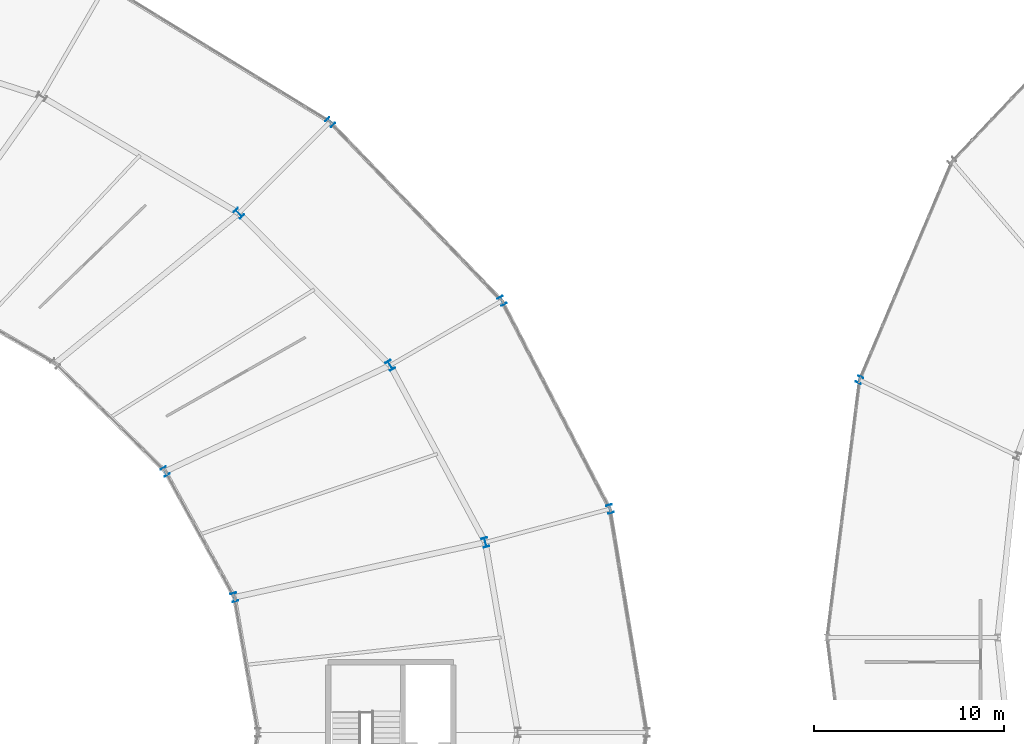
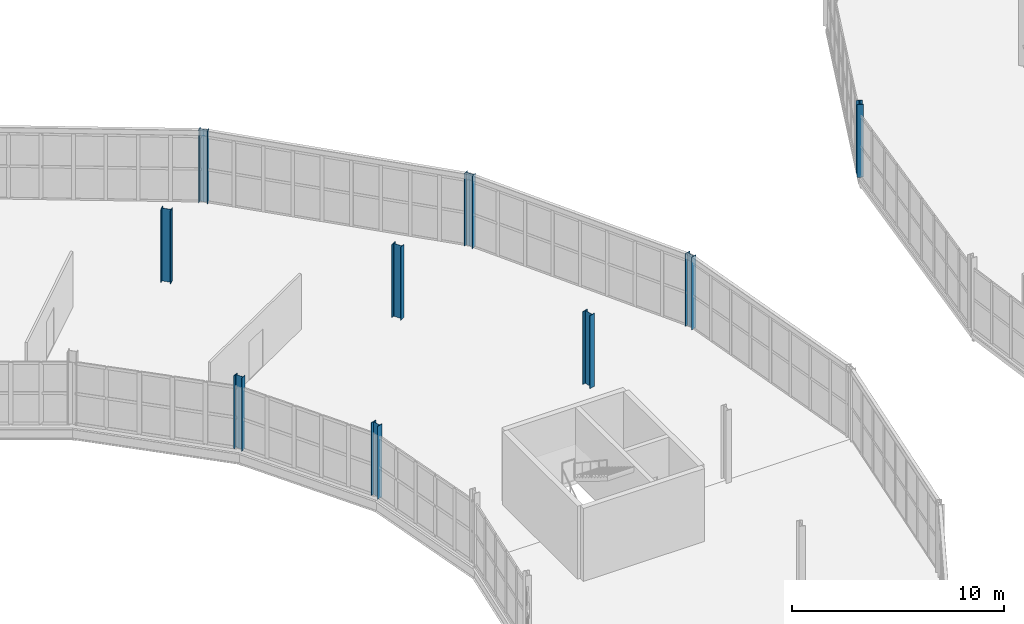
# One storey, part 25 of 161: 9 columns.
"""IFC4 building model written with IfcOpenShell, lengths in metres."""

from ifc_helpers import new_model, si_unit, direction, frame, origin, origin_2d, place, context, subcontext, project, spatial, i_section, extrude, material, material_profile, profile_set, type_object, element, save


model = new_model("IFC4")

# Units and contexts
model_context = context("Model", 3, precision=1e-05, world=origin(), true_north=direction((0.0, 1.0)))
body_context = subcontext(model_context, "Body", "Model", "MODEL_VIEW")
ifc_project = project(units=[si_unit("LENGTHUNIT", "METRE"), si_unit("AREAUNIT", "SQUARE_METRE"), si_unit("VOLUMEUNIT", "CUBIC_METRE"), si_unit("PLANEANGLEUNIT", "RADIAN"), si_unit("MASSUNIT", "GRAM", prefix="KILO")], contexts=[model_context])

# Site, building, storey
site_placement = place(None, origin())
site = spatial("IfcSite", under=ifc_project, at=site_placement, CompositionType="ELEMENT")
building_placement = place(site_placement, origin())
building = spatial("IfcBuilding", under=site, at=building_placement, Name="Kildeholm Park Wholesale Market", CompositionType="ELEMENT")
storey_placement = place(building_placement, frame((0.0, 0.0, 5.39990234375)))
storey = spatial("IfcBuildingStorey", under=building, at=storey_placement, Name="L01", CompositionType="ELEMENT", Elevation=5.39990234375)

# Columns
ifc_material = material(Name="Steel S355", Category="steel")
ifc_material_profile_1 = material_profile(ifc_material, i_section(OverallWidth=0.300048828125, OverallDepth=0.360107421875, WebThickness=0.012451171875, FlangeThickness=0.0224609375, FilletRadius=0.027099609375, at=origin_2d()), Name="HEB 360")
ifc_profile_set_1 = profile_set([ifc_material_profile_1], Name="Steel S355")
column_type_1 = type_object("IfcColumnType", Name="Column C-S04 HEB 360", PredefinedType="COLUMN", material=ifc_profile_set_1)
column_1_placement = place(storey_placement, frame((167.212890625, 108.0849609375, 0.0), z_axis=(0.0, 0.0, 1.0), x_axis=(-0.923879532511, 0.382683432365, 0.0)))
element("IfcColumn", 1, at=column_1_placement, inside=storey, type_object=column_type_1, Name="Column V2-OT-07 L01 COL-0256", PredefinedType="COLUMN", context=body_context, shape_type="SweptSolid", body=[
    extrude(i_section(OverallWidth=0.300048828125, OverallDepth=0.360107421875, WebThickness=0.012451171875, FlangeThickness=0.0224609375, FilletRadius=0.027099609375, at=origin_2d()), origin(), (0.0, 0.0, 1.0), 4.2001953125),
])
ifc_material_profile_2 = material_profile(ifc_material, i_section(OverallWidth=0.300048828125, OverallDepth=0.449951171875, WebThickness=0.013916015625, FlangeThickness=0.02587890625, FilletRadius=0.027099609375, at=origin_2d()), Name="HEB 450")
ifc_profile_set_2 = profile_set([ifc_material_profile_2], Name="Steel S355")
column_type_2 = type_object("IfcColumnType", Name="Column C-S06 HEB 450", PredefinedType="COLUMN", material=ifc_profile_set_2)
column_2_placement = place(storey_placement, frame((134.256103515625, 96.617919921875, 0.0), z_axis=(0.0, 0.0, 1.0), x_axis=(0.965925826289, 0.258819045103, 0.0)))
element("IfcColumn", 2, at=column_2_placement, inside=storey, type_object=column_type_2, Name="Column V1-IN-01 L01 COL-0011", PredefinedType="COLUMN", context=body_context, shape_type="SweptSolid", body=[
    extrude(i_section(OverallWidth=0.300048828125, OverallDepth=0.449951171875, WebThickness=0.013916015625, FlangeThickness=0.02587890625, FilletRadius=0.027099609375, at=origin_2d()), origin(), (0.0, 0.0, 1.0), 4.2001953125),
])
column_3_placement = place(storey_placement, frame((154.05810546875, 101.27587890625, 0.0), z_axis=(0.0, 0.0, 1.0), x_axis=(0.965925826289, 0.258819045103, 0.0)))
element("IfcColumn", 3, at=column_3_placement, inside=storey, type_object=column_type_2, Name="Column V1-OT-01 L01 COL-0017", PredefinedType="COLUMN", context=body_context, shape_type="SweptSolid", body=[
    extrude(i_section(OverallWidth=0.300048828125, OverallDepth=0.449951171875, WebThickness=0.013916015625, FlangeThickness=0.02587890625, FilletRadius=0.027099609375, at=origin_2d()), origin(), (0.0, 0.0, 1.0), 4.18017578125),
])
column_4_placement = place(storey_placement, frame((130.610107421875, 103.25, 0.0), z_axis=(0.0, 0.0, 1.0), x_axis=(0.866025403784, 0.5, 0.0)))
element("IfcColumn", 4, at=column_4_placement, inside=storey, type_object=column_type_2, Name="Column V1-IN-02 L01 COL-0020", PredefinedType="COLUMN", context=body_context, shape_type="SweptSolid", body=[
    extrude(i_section(OverallWidth=0.300048828125, OverallDepth=0.449951171875, WebThickness=0.013916015625, FlangeThickness=0.02587890625, FilletRadius=0.027099609375, at=origin_2d()), origin(), (0.0, 0.0, 1.0), 4.2001953125),
])
for number, where, z_axis, x_axis, name in (
    (5, (148.363037109375, 112.25, 0.0), (0.0, 0.0, 1.0), (0.866025403784, 0.5, 0.0), "Column V1-OT-02 L01 COL-0026"),
    (6, (139.304931640625, 121.673095703125, 0.0), (0.0, 0.0, 1.0), (0.707106781187, 0.707106781187, 0.0), "Column V1-OT-03 L01 COL-0035"),
):
    element("IfcColumn", number, at=place(storey_placement, frame(where, z_axis=z_axis, x_axis=x_axis)), inside=storey, type_object=column_type_2, Name=name, PredefinedType="COLUMN", context=body_context, shape_type="SweptSolid", body=[
        extrude(i_section(OverallWidth=0.300048828125, OverallDepth=0.449951171875, WebThickness=0.013916015625, FlangeThickness=0.02587890625, FilletRadius=0.027099609375, at=origin_2d()), origin(), (0.0, 0.0, 1.0), 4.18017578125),
    ])
ifc_material_profile_3 = material_profile(ifc_material, i_section(OverallWidth=0.300048828125, OverallDepth=0.5, WebThickness=0.014404296875, FlangeThickness=0.028076171875, FilletRadius=0.027099609375, at=origin_2d()), Name="HEB 500")
ifc_profile_set_3 = profile_set([ifc_material_profile_3], Name="Steel S355")
column_type_3 = type_object("IfcColumnType", Name="Column C-S07 HEB 500", PredefinedType="COLUMN", material=ifc_profile_set_3)
for number, where, z_axis, x_axis, name in (
    (7, (147.489013671875, 99.51611328125, 0.0), (0.0, 0.0, 1.0), (0.965925826289, 0.258819045103, 0.0), "Column V1-MD-01 L01 COL-0014"),
    (8, (142.47412109375, 108.85009765625, 0.0), (0.0, 0.0, 1.0), (0.866025403784, 0.5, 0.0), "Column V1-MD-02 L01 COL-0023"),
    (9, (134.4970703125, 116.864990234375, 0.0), (0.0, 0.0, 1.0), (0.707106781187, 0.707106781187, 0.0), "Column V1-MD-03 L01 COL-0032"),
):
    element("IfcColumn", number, at=place(storey_placement, frame(where, z_axis=z_axis, x_axis=x_axis)), inside=storey, type_object=column_type_3, Name=name, PredefinedType="COLUMN", context=body_context, shape_type="SweptSolid", body=[
        extrude(i_section(OverallWidth=0.300048828125, OverallDepth=0.5, WebThickness=0.014404296875, FlangeThickness=0.028076171875, FilletRadius=0.027099609375, at=origin_2d()), origin(), (0.0, 0.0, 1.0), 4.2001953125),
    ])

save(model, "model.ifc")
